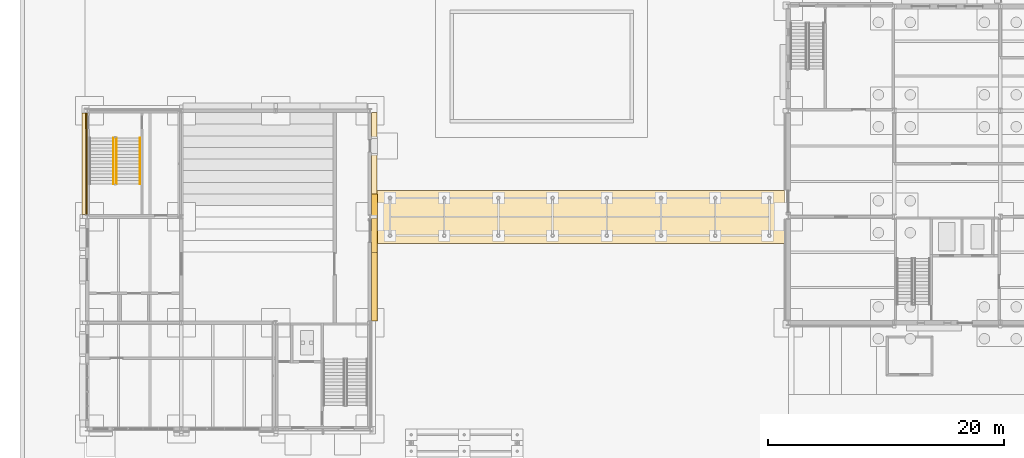
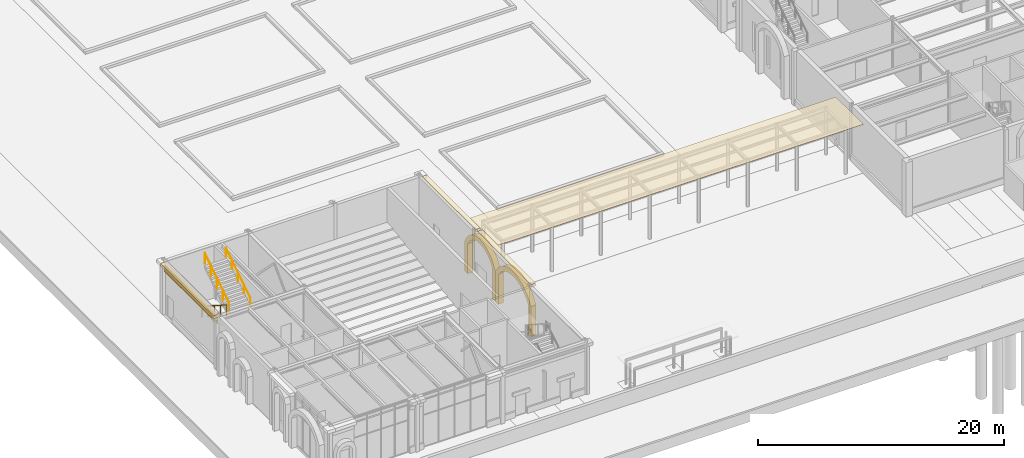
# One storey, part 98 of 126: 8 coverings, 3 railings.
"""IFC4 building model written with IfcOpenShell, lengths in metres."""

import ifcopenshell
import ifcopenshell.guid

model = None  # the IFC model being written
_history = None  # IfcOwnerHistory: only IFC2X3 demands one
_inside = {}  # id of a spatial element -> (the spatial element, [elements in it])
_under = {}  # id of a project, library or spatial element -> (it, [spatial elements below it])
_declared = {}  # id of a project -> (the project, [libraries it declares])
_typed = {}  # id of a type object -> (the type object, [elements of that type])
_made_of = {}  # id of a material, layer set ... -> (it, [elements and type objects made of it])


def new_model(schema):
    """Start an empty IFC model of exactly this schema.

    Asked for "IFC4X3", IfcOpenShell would pick the latest addendum, in which some entities
    have other attributes; the version numbers below select the first issue.
    IFC2X3 requires an IfcOwnerHistory on every rooted entity: one is made here for all.
    """
    global model, _history
    if schema == "IFC4X3":
        model = ifcopenshell.file(schema_version=(4, 3, 0, 0))
    else:
        model = ifcopenshell.file(schema=schema)
    _inside.clear()
    _under.clear()
    _declared.clear()
    _typed.clear()
    _made_of.clear()
    _history = None
    if model.schema == "IFC2X3":
        org = make("IfcOrganization", Name="unknown")
        user = make(
            "IfcPersonAndOrganization",
            ThePerson=make("IfcPerson", FamilyName="unknown"),
            TheOrganization=org,
        )
        app = make(
            "IfcApplication",
            ApplicationDeveloper=org,
            Version="unknown",
            ApplicationFullName="unknown",
            ApplicationIdentifier="unknown",
        )
        _history = make(
            "IfcOwnerHistory",
            OwningUser=user,
            OwningApplication=app,
            ChangeAction="ADDED",
            CreationDate=0,
        )
    return model


def make(cls, **values):
    """One entity of the class cls with the attributes given. An attribute that is None is left unset."""
    return model.create_entity(
        cls, **{name: value for name, value in values.items() if value is not None}
    )


def rooted(cls, **values):
    """An entity with a GlobalId (a new one), such as an element, a storey or a relation."""
    return make(cls, GlobalId=ifcopenshell.guid.new(), OwnerHistory=_history, **values)


def si_unit(unit_type, name, prefix=None):
    """IfcSIUnit, for example si_unit("LENGTHUNIT", "METRE", prefix="MILLI")."""
    return make("IfcSIUnit", UnitType=unit_type, Prefix=prefix, Name=name)


def assignment(units):
    """IfcUnitAssignment: the units of a project."""
    return None if units is None else make("IfcUnitAssignment", Units=units)


def point(xyz):
    """IfcCartesianPoint."""
    return None if xyz is None else make("IfcCartesianPoint", Coordinates=xyz)


def direction(xyz):
    """IfcDirection."""
    return None if xyz is None else make("IfcDirection", DirectionRatios=xyz)


def frame(location, z_axis=None, x_axis=None):
    """IfcAxis2Placement3D, a coordinate frame: its origin and axes. An axis left out is left unset."""
    return make(
        "IfcAxis2Placement3D",
        Location=point(location),
        Axis=direction(z_axis),
        RefDirection=direction(x_axis),
    )


def frame_2d(location, x_axis=None):
    """IfcAxis2Placement2D, a coordinate frame in the plane: its origin and x axis."""
    return make(
        "IfcAxis2Placement2D", Location=point(location), RefDirection=direction(x_axis)
    )


def origin():
    """The frame at (0, 0, 0) with its axes left unset."""
    return frame((0.0, 0.0, 0.0))


def origin_2d():
    """The frame at (0, 0) in the plane with its x axis left unset."""
    return frame_2d((0.0, 0.0))


def place(relative_to, where):
    """IfcLocalPlacement: puts the frame where relative to a parent placement (None: the world)."""
    return make(
        "IfcLocalPlacement", PlacementRelTo=relative_to, RelativePlacement=where
    )


def context(
    kind, dimensions, precision=None, world=None, true_north=None, identifier=None
):
    """IfcGeometricRepresentationContext, for example the 3D "Model" context."""
    return make(
        "IfcGeometricRepresentationContext",
        ContextIdentifier=identifier,
        ContextType=kind,
        CoordinateSpaceDimension=dimensions,
        Precision=precision,
        WorldCoordinateSystem=world,
        TrueNorth=true_north,
    )


def subcontext(parent, identifier, kind, view, scale=None):
    """IfcGeometricRepresentationSubContext, for example "Body" below "Model"."""
    return make(
        "IfcGeometricRepresentationSubContext",
        ContextIdentifier=identifier,
        ContextType=kind,
        ParentContext=parent,
        TargetScale=scale,
        TargetView=view,
    )


def project(units=None, contexts=None):
    """IfcProject with its units and contexts."""
    return rooted(
        "IfcProject",
        Name="project",
        RepresentationContexts=contexts,
        UnitsInContext=assignment(units),
    )


def spatial(cls, under=None, at=None, **own):
    """A site, building, storey or space (cls), placed at a placement, below another one or the project."""
    s = rooted(cls, ObjectPlacement=at, **own)
    if under is not None:
        _under.setdefault(under.id(), (under, []))[1].append(s)
    return s


def polyline(points):
    """IfcPolyline through the points."""
    return make("IfcPolyline", Points=[point(p) for p in points])


def profile(cls, at=None, kind="AREA", **sizes):
    """A parametric profile (cls). Its sizes go by their IFC names, for example OverallWidth=200.0."""
    return make(cls, ProfileType=kind, Position=at, **sizes)


def rectangle(**sizes):
    """IfcRectangleProfileDef."""
    return profile("IfcRectangleProfileDef", **sizes)


def circle(**sizes):
    """IfcCircleProfileDef."""
    return profile("IfcCircleProfileDef", **sizes)


def outline(outer, holes=None, kind="AREA"):
    """IfcArbitraryClosedProfileDef: a profile drawn as a closed curve; with holes, ...WithVoids."""
    if holes is None:
        return make("IfcArbitraryClosedProfileDef", ProfileType=kind, OuterCurve=outer)
    return make(
        "IfcArbitraryProfileDefWithVoids",
        ProfileType=kind,
        OuterCurve=outer,
        InnerCurves=holes,
    )


def extrude(swept, where, along, depth):
    """IfcExtrudedAreaSolid: the profile swept, set in the frame where, extruded along a direction by depth."""
    return make(
        "IfcExtrudedAreaSolid",
        SweptArea=swept,
        Position=where,
        ExtrudedDirection=direction(along),
        Depth=depth,
    )


def shape(context_of_items, identifier, shape_type, items):
    """IfcShapeRepresentation: the items that make up one representation, for example the "Body"."""
    return make(
        "IfcShapeRepresentation",
        ContextOfItems=context_of_items,
        RepresentationIdentifier=identifier,
        RepresentationType=shape_type,
        Items=items,
    )


def material(Name=None, Category=None):
    """IfcMaterial."""
    return make("IfcMaterial", Name=Name, Category=Category)


def layer(
    of_material, thickness, ventilated=None, Name=None, Category=None, Priority=None
):
    """IfcMaterialLayer: one layer of a wall or slab, of a material (None: an air gap)."""
    return make(
        "IfcMaterialLayer",
        Material=of_material,
        LayerThickness=thickness,
        IsVentilated=ventilated,
        Name=Name,
        Category=Category,
        Priority=Priority,
    )


def layer_set(layers, Name=None):
    """IfcMaterialLayerSet."""
    return make("IfcMaterialLayerSet", MaterialLayers=layers, LayerSetName=Name)


def made_of(thing, what):
    """Note that an element or type object is made of a material, layer set ...; save() writes the relation."""
    if what is not None:
        _made_of.setdefault(what.id(), (what, []))[1].append(thing)
    return thing


def type_object(cls, material=None, **own):
    """A type object (cls), such as IfcWallType, which elements share."""
    return made_of(rooted(cls, **own), material)


def element(
    cls,
    number,
    at=None,
    inside=None,
    cuts=None,
    type_object=None,
    material=None,
    context=None,
    identifier="Body",
    shape_type=None,
    held_by="IfcProductDefinitionShape",
    body=None,
    shapes=None,
    **own,
):
    """One element of the class cls, such as IfcWall. Its Tag is "e" and its number.

    at: its placement. inside: the storey or other place that contains it. cuts: it is an
    opening in that element (IfcRelVoidsElement). A single representation is given by context,
    identifier, shape_type and body (its items); several are given by shapes. held_by: the class
    of the entity that holds the representations. save() writes the other relations.
    """
    e = rooted(cls, Tag="e%d" % number, ObjectPlacement=at, **own)
    if body is not None:
        shapes = [shape(context, identifier, shape_type, body)]
    if shapes is not None:
        e.Representation = make(held_by, Representations=shapes)
    if inside is not None:
        _inside.setdefault(inside.id(), (inside, []))[1].append(e)
    if cuts is not None:
        rooted(
            "IfcRelVoidsElement", RelatingBuildingElement=cuts, RelatedOpeningElement=e
        )
    if type_object is not None:
        _typed.setdefault(type_object.id(), (type_object, []))[1].append(e)
    return made_of(e, material)


def aggregate(whole, parts):
    """IfcRelAggregates: a whole, such as a stair, and the parts it consists of."""
    return rooted("IfcRelAggregates", RelatingObject=whole, RelatedObjects=parts)


def save(model, path):
    """Write the relations noted so far, then the file.

    IfcRelAggregates (storeys below a building ...), IfcRelContainedInSpatialStructure (elements
    in a storey), IfcRelDefinesByType, IfcRelAssociatesMaterial and IfcRelDeclares: one each for
    every whole, place, type object, material and project.
    """
    for whole, parts in _under.values():
        aggregate(whole, parts)
    for where, things in _inside.values():
        rooted(
            "IfcRelContainedInSpatialStructure",
            RelatedElements=things,
            RelatingStructure=where,
        )
    for kind, things in _typed.values():
        rooted("IfcRelDefinesByType", RelatedObjects=things, RelatingType=kind)
    for what, things in _made_of.values():
        rooted("IfcRelAssociatesMaterial", RelatedObjects=things, RelatingMaterial=what)
    for by, libraries in _declared.values():
        rooted("IfcRelDeclares", RelatingContext=by, RelatedDefinitions=libraries)
    model.write(path)


model = new_model("IFC4")

# Units and contexts
model_context = context("Model", 3, precision=1e-05, world=origin(), true_north=direction((0.0, 1.0)))
body_context = subcontext(model_context, "Body", "Model", "MODEL_VIEW")
ifc_project = project(units=[si_unit("LENGTHUNIT", "METRE"), si_unit("AREAUNIT", "SQUARE_METRE"), si_unit("VOLUMEUNIT", "CUBIC_METRE"), si_unit("PLANEANGLEUNIT", "RADIAN"), si_unit("MASSUNIT", "GRAM", prefix="KILO")], contexts=[model_context])

# Site, building, storey
site_placement = place(None, origin())
site = spatial("IfcSite", under=ifc_project, at=site_placement, CompositionType="ELEMENT")
building_placement = place(site_placement, origin())
building = spatial("IfcBuilding", under=site, at=building_placement, Name="Kallimachos Central Library", CompositionType="ELEMENT")
storey_placement = place(building_placement, origin())
storey = spatial("IfcBuildingStorey", under=building, at=storey_placement, Name="L00", CompositionType="ELEMENT", Elevation=0.0)

# Coverings
ifc_material_1 = material(Name="Glazed ceramic frieze, green")
ifc_layer_1 = layer(ifc_material_1, 0.10009765625)
ifc_layer_set_1 = layer_set([ifc_layer_1], Name="Glazed ceramic frieze, green")
covering_type_1 = type_object("IfcCoveringType", Name="Glazed ceramic frieze, green", PredefinedType="CLADDING", material=ifc_layer_set_1)
covering_1_placement = place(storey_placement, frame((5.949951171875, 31.5, 4.580078125), z_axis=(0.0, 0.0, 1.0), x_axis=(1.0, 0.0, 0.0)))
element("IfcCovering", 1, at=covering_1_placement, inside=storey, type_object=covering_type_1, Name="Glazed ceramic frieze, green -L00-027", PredefinedType="CLADDING", context=body_context, shape_type="SweptSolid", body=[
    extrude(rectangle(XDim=0.10009765625, YDim=8.60009765625, at=origin_2d()), origin(), (0.0, 0.0, 1.0), 0.300048828125),
])
ifc_material_2 = material(Name="Glazed ceramic frieze, ochre")
ifc_layer_2 = layer(ifc_material_2, 0.10009765625)
ifc_layer_set_2 = layer_set([ifc_layer_2], Name="Glazed ceramic frieze, ochre")
covering_type_2 = type_object("IfcCoveringType", Name="Glazed ceramic frieze, ochre", PredefinedType="CLADDING", material=ifc_layer_set_2)
covering_2_placement = place(storey_placement, frame((5.949951171875, 31.5, 4.27978515625), z_axis=(0.0, 0.0, 1.0), x_axis=(1.0, 0.0, 0.0)))
element("IfcCovering", 2, at=covering_2_placement, inside=storey, type_object=covering_type_2, Name="Glazed ceramic frieze, ochre -L00-027", PredefinedType="CLADDING", context=body_context, shape_type="SweptSolid", body=[
    extrude(rectangle(XDim=0.10009765625, YDim=8.60009765625, at=origin_2d()), origin(), (0.0, 0.0, 1.0), 0.300048828125),
])
ifc_material_3 = material(Name="Glazed ceramic tile")
ifc_layer_3 = layer(ifc_material_3, 0.030029296875)
ifc_layer_set_3 = layer_set([ifc_layer_3], Name="Glazed ceramic roof tile")
covering_type_3 = type_object("IfcCoveringType", Name="Glazed ceramic roof tile", PredefinedType="ROOFING", material=ifc_layer_set_3)
covering_3_placement = place(storey_placement, frame((0.0, 0.0, 4.800048828125)))
element("IfcCovering", 3, at=covering_3_placement, inside=storey, type_object=covering_type_3, Name="Arcade A3 ceramic tile roof covering", PredefinedType="ROOFING", context=body_context, shape_type="SweptSolid", body=[
    extrude(outline(polyline([(30.39990234375, 24.75), (65.199951171875, 24.75), (65.199951171875, 29.25), (30.39990234375, 29.25), (30.39990234375, 24.75)])), origin(), (0.0, 0.0, 1.0), 0.030029296875),
])

# Railings
ifc_material_4 = material(Name="Wrought iron")
railing_type_1 = type_object("IfcRailingType", Name="Stair guard", PredefinedType="GUARDRAIL", material=ifc_material_4)
railing_1_placement = place(storey_placement, frame((8.25, 33.699951171875, 0.179931640625)))
element("IfcRailing", 4, at=railing_1_placement, inside=storey, type_object=railing_type_1, Name="L00 ST18 stair guard 1", PredefinedType="GUARDRAIL", context=body_context, shape_type="SweptSolid", body=[
    extrude(circle(Radius=0.02392578125, at=origin_2d()), frame((0.0, 0.0, 1.076171875), z_axis=(0.0, -0.841171666519, 0.540768182723), x_axis=(1.0, 0.0, 0.0)), (0.0, 0.0, 1.0), 4.66015625),
    extrude(circle(Radius=0.02099609375, at=origin_2d()), origin(), (0.0, 0.0, 1.0), 1.052001953125),
    extrude(circle(Radius=0.02099609375, at=origin_2d()), frame((0.0, -0.97998046875, 0.6298828125)), (0.0, 0.0, 1.0), 1.052001953125),
    extrude(circle(Radius=0.02099609375, at=origin_2d()), frame((0.0, -1.9599609375, 1.260009765625)), (0.0, 0.0, 1.0), 1.052001953125),
    extrude(circle(Radius=0.02099609375, at=origin_2d()), frame((0.0, -2.93994140625, 1.89013671875)), (0.0, 0.0, 1.0), 1.052001953125),
    extrude(circle(Radius=0.02099609375, at=origin_2d()), frame((0.0, -3.919921875, 2.52001953125)), (0.0, 0.0, 1.0), 1.052001953125),
])
railing_2_placement = place(storey_placement, frame((8.5, 29.780029296875, 2.8798828125)))
element("IfcRailing", 5, at=railing_2_placement, inside=storey, type_object=railing_type_1, Name="L00 ST18 stair guard 3", PredefinedType="GUARDRAIL", context=body_context, shape_type="SweptSolid", body=[
    extrude(circle(Radius=0.02392578125, at=origin_2d()), frame((0.0, 0.0, 1.076171875), z_axis=(0.0, 0.841171666519, 0.540768182723), x_axis=(-1.0, 0.0, 0.0)), (0.0, 0.0, 1.0), 4.66015625),
    extrude(circle(Radius=0.02099609375, at=origin_2d()), origin(), (0.0, 0.0, 1.0), 1.052001953125),
    extrude(circle(Radius=0.02099609375, at=origin_2d()), frame((0.0, 0.97998046875, 0.6298828125)), (0.0, 0.0, 1.0), 1.052001953125),
    extrude(circle(Radius=0.02099609375, at=origin_2d()), frame((0.0, 1.9599609375, 1.260009765625)), (0.0, 0.0, 1.0), 1.052001953125),
    extrude(circle(Radius=0.02099609375, at=origin_2d()), frame((0.0, 2.93994140625, 1.89013671875)), (0.0, 0.0, 1.0), 1.052001953125),
    extrude(circle(Radius=0.02099609375, at=origin_2d()), frame((0.0, 3.919921875, 2.52001953125)), (0.0, 0.0, 1.0), 1.052001953125),
])
ifc_material_5 = material(Name="Wrought iron")
railing_type_2 = type_object("IfcRailingType", Name="Stair handrail", PredefinedType="HANDRAIL", material=ifc_material_5)
railing_3_placement = place(storey_placement, frame((10.5, 29.780029296875, 2.8798828125)))
element("IfcRailing", 6, at=railing_3_placement, inside=storey, type_object=railing_type_2, Name="L00 ST18 stair handrail 2", PredefinedType="HANDRAIL", context=body_context, shape_type="SweptSolid", body=[
    extrude(circle(Radius=0.02392578125, at=origin_2d()), frame((0.0, 0.0, 0.8759765625), z_axis=(0.0, 0.841171666519, 0.540768182723), x_axis=(-1.0, 0.0, 0.0)), (0.0, 0.0, 1.0), 4.66015625),
    extrude(circle(Radius=0.02099609375, at=origin_2d()), origin(), (0.0, 0.0, 1.0), 0.851806640625),
    extrude(circle(Radius=0.02099609375, at=origin_2d()), frame((0.0, 0.97998046875, 0.6298828125)), (0.0, 0.0, 1.0), 0.851806640625),
    extrude(circle(Radius=0.02099609375, at=origin_2d()), frame((0.0, 1.9599609375, 1.260009765625)), (0.0, 0.0, 1.0), 0.851806640625),
    extrude(circle(Radius=0.02099609375, at=origin_2d()), frame((0.0, 2.93994140625, 1.89013671875)), (0.0, 0.0, 1.0), 0.851806640625),
    extrude(circle(Radius=0.02099609375, at=origin_2d()), frame((0.0, 3.919921875, 2.52001953125)), (0.0, 0.0, 1.0), 0.851806640625),
])

# Coverings
ifc_material_6 = material(Name="Pentelic marble cornice", Category="masonry")
ifc_layer_4 = layer(ifc_material_6, 0.449951171875)
ifc_layer_set_4 = layer_set([ifc_layer_4], Name="Stone cornice 450")
covering_type_4 = type_object("IfcCoveringType", Name="Stone cornice 450", PredefinedType="MOLDING", material=ifc_layer_set_4)
for number, where, z_axis, x_axis, name in (
    (7, (30.375, 22.5, 4.89990234375), (0.0, 0.0, 1.0), (1.0, 0.0, 0.0), "Stone cornice 450 -L00-014"),
    (8, (30.375, 31.5, 4.89990234375), (0.0, 0.0, 1.0), (1.0, 0.0, 0.0), "Stone cornice 450 -L00-015"),
):
    element("IfcCovering", number, at=place(storey_placement, frame(where, z_axis=z_axis, x_axis=x_axis)), inside=storey, type_object=covering_type_4, Name=name, PredefinedType="MOLDING", context=body_context, shape_type="SweptSolid", body=[
        extrude(rectangle(XDim=0.449951171875, YDim=8.699951171875, at=origin_2d()), origin(), (0.0, 0.0, 1.0), 0.300048828125),
    ])
covering_4_placement = place(storey_placement, frame((5.77490234375, 31.5, 4.89990234375), z_axis=(0.0, 0.0, 1.0), x_axis=(1.0, 0.0, 0.0)))
element("IfcCovering", 9, at=covering_4_placement, inside=storey, type_object=covering_type_4, Name="Stone cornice 450 -L00-027", PredefinedType="MOLDING", context=body_context, shape_type="SweptSolid", body=[
    extrude(rectangle(XDim=0.449951171875, YDim=8.60009765625, at=origin_2d()), origin(), (0.0, 0.0, 1.0), 0.300048828125),
])
ifc_material_7 = material(Name="Pentelic marble arch ring", Category="masonry")
ifc_layer_5 = layer(ifc_material_7, 0.5)
ifc_layer_set_5 = layer_set([ifc_layer_5], Name="Stone grand arch 500")
covering_type_5 = type_object("IfcCoveringType", Name="Stone grand arch 500", PredefinedType="MOLDING", material=ifc_layer_set_5)
covering_5_placement = place(storey_placement, frame((30.64990234375, 18.64990234375, 0.0), z_axis=(1.0, 0.0, 0.0), x_axis=(0.0, 0.0, 1.0)))
element("IfcCovering", 10, at=covering_5_placement, inside=storey, type_object=covering_type_5, Name="Grand arch 5", PredefinedType="MOLDING", context=body_context, shape_type="SweptSolid", body=[
    extrude(outline(polyline([(0.0, 0.0), (3.0, 0.0), (3.532958984375, -0.47998046875), (3.87158203125, -0.960205078125), (4.088134765625, -1.440185546875), (4.21044921875, -1.920166015625), (4.25, -2.400146484375), (4.21044921875, -2.880126953125), (4.088134765625, -3.360107421875), (3.87158203125, -3.840087890625), (3.532958984375, -4.320068359375), (3.0, -4.800048828125), (0.0, -4.800048828125), (0.0, -5.300048828125), (3.0, -5.300048828125), (3.75634765625, -4.72021484375), (4.2080078125, -4.14013671875), (4.490966796875, -3.56005859375), (4.64892578125, -2.97998046875), (4.699951171875, -2.400146484375), (4.64892578125, -1.820068359375), (4.490966796875, -1.239990234375), (4.2080078125, -0.66015625), (3.75634765625, -0.080078125), (3.0, 0.5), (0.0, 0.5), (0.0, 0.0)])), origin(), (0.0, 0.0, -1.0), 0.5),
])
covering_6_placement = place(storey_placement, frame((30.64990234375, 24.449951171875, 0.0), z_axis=(1.0, 0.0, 0.0), x_axis=(0.0, 0.0, 1.0)))
element("IfcCovering", 11, at=covering_6_placement, inside=storey, type_object=covering_type_5, Name="Grand arch 6", PredefinedType="MOLDING", context=body_context, shape_type="SweptSolid", body=[
    extrude(outline(polyline([(0.0, 0.0), (3.0, 0.0), (3.538818359375, -0.400146484375), (3.856201171875, -0.800048828125), (4.05419921875, -1.199951171875), (4.164306640625, -1.60009765625), (4.199951171875, -2.0), (4.164306640625, -2.400146484375), (4.05419921875, -2.800048828125), (3.856201171875, -3.199951171875), (3.538818359375, -3.60009765625), (3.0, -4.0), (0.0, -4.0), (0.0, -4.5), (3.0, -4.5), (3.77294921875, -4.0), (4.19873046875, -3.5), (4.45947265625, -3.0), (4.603515625, -2.5), (4.64990234375, -2.0), (4.603515625, -1.5), (4.45947265625, -1.0), (4.19873046875, -0.5), (3.77294921875, 0.0), (3.0, 0.5), (0.0, 0.5), (0.0, 0.0)])), origin(), (0.0, 0.0, -1.0), 0.5),
])

save(model, "model.ifc")
